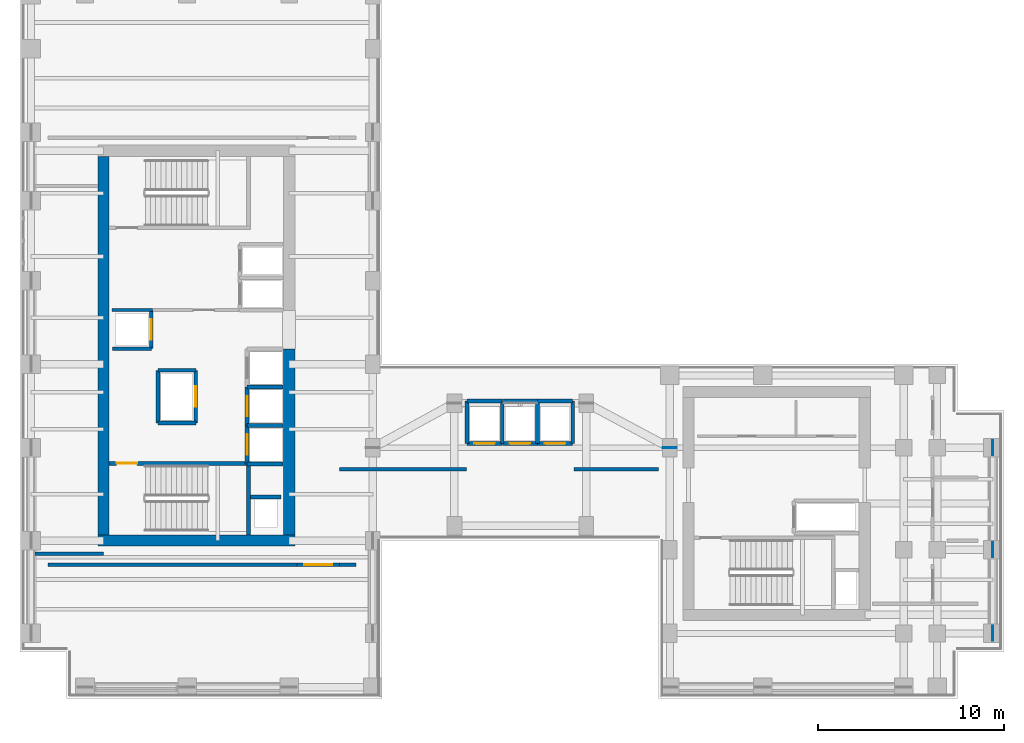
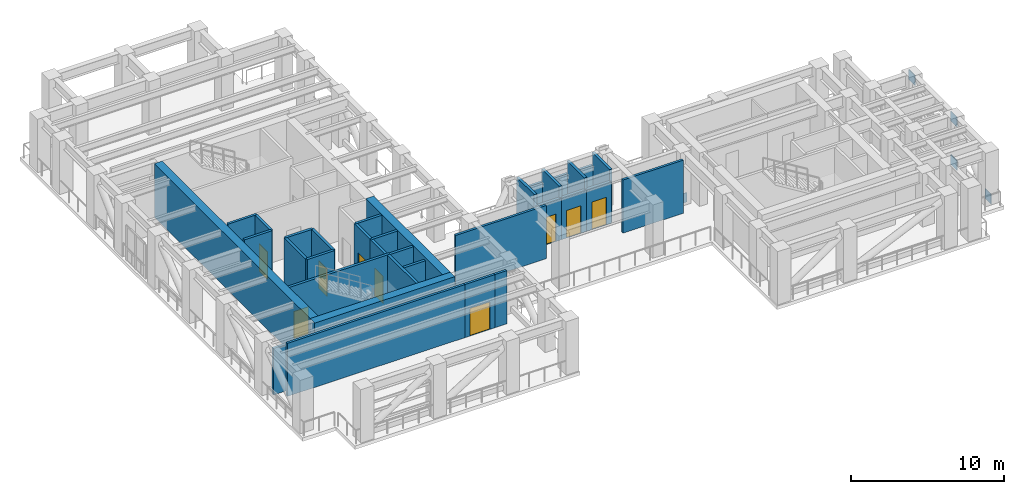
# One storey, part 8 of 14: 34 walls, 9 doors, 5 plates, 9 openings.
"""IFC4 building model written with IfcOpenShell, lengths in metres."""

from ifc_helpers import new_model, si_unit, direction, frame, frame_2d, origin, origin_2d, place, context, subcontext, project, spatial, rectangle, extrude, source, transform, mapped, material, layer, layer_set, type_object, element, fill, save


model = new_model("IFC4")

# Units and contexts
model_context = context("Model", 3, precision=1e-05, world=origin(), true_north=direction((0.0, 1.0)))
body_context = subcontext(model_context, "Body", "Model", "MODEL_VIEW")
ifc_project = project(units=[si_unit("LENGTHUNIT", "METRE"), si_unit("AREAUNIT", "SQUARE_METRE"), si_unit("VOLUMEUNIT", "CUBIC_METRE"), si_unit("PLANEANGLEUNIT", "RADIAN"), si_unit("MASSUNIT", "GRAM", prefix="KILO")], contexts=[model_context])

# Site, building, storey
site_placement = place(None, origin())
site = spatial("IfcSite", under=ifc_project, at=site_placement, CompositionType="ELEMENT")
building_placement = place(site_placement, origin())
building = spatial("IfcBuilding", under=site, at=building_placement, Name="Kharzan Plaza Tower", CompositionType="ELEMENT")
storey_placement = place(building_placement, frame((0.0, 0.0, 207.89990234375)))
storey = spatial("IfcBuildingStorey", under=building, at=storey_placement, Name="L56", CompositionType="ELEMENT", Elevation=207.89990234375)

# Plates
ifc_material_1 = material(Name="Steel S460", Category="steel")
ifc_layer_1 = layer(ifc_material_1, 0.0400390625)
ifc_layer_set_1 = layer_set([ifc_layer_1], Name="Steel S460")
plate_type_1 = type_object("IfcPlateType", Name="PLT-BTN1", PredefinedType="USERDEFINED", material=ifc_layer_set_1)
shared_shape_1 = source(origin(), body_context, "Body", "SweptSolid", [
    extrude(rectangle(XDim=0.800048828125, YDim=0.0400390625, at=origin_2d()), origin(), (0.0, 0.0, 1.0), 0.800048828125),
])
for number, where, z_axis, x_axis, name in (
    (1, (52.39990234375, 3.5, -0.0498046875), (0.0, 0.0, 1.0), (0.0, 1.0, 0.0), "L56 Belt Truss Node Gusset Plate BTN1-BTE-1"),
    (2, (52.39990234375, 8.0, 3.41015625), (0.0, 0.0, 1.0), (0.0, 1.0, 0.0), "L56 Belt Truss Node Gusset Plate BTN1-T-BTE-1"),
    (3, (52.39990234375, 8.0, -0.0498046875), (0.0, 0.0, 1.0), (0.0, 1.0, 0.0), "L56 Belt Truss Node Gusset Plate BTN1-BTE-2"),
    (4, (52.39990234375, 13.5, 3.41015625), (0.0, 0.0, 1.0), (0.0, 1.0, 0.0), "L56 Belt Truss Node Gusset Plate BTN1-T-BTE-2"),
):
    element("IfcPlate", number, at=place(storey_placement, frame(where, z_axis=z_axis, x_axis=x_axis)), inside=storey, type_object=plate_type_1, Name=name, ObjectType="GUSSET_PLATE", PredefinedType="USERDEFINED", context=body_context, shape_type="MappedRepresentation", body=[
        mapped(shared_shape_1, transform((0.0, 0.0, 0.0), x_axis=(1.0, 0.0, 0.0), y_axis=(0.0, 1.0, 0.0), z_axis=(0.0, 0.0, 1.0))),
    ])
ifc_layer_2 = layer(ifc_material_1, 0.0380859375)
ifc_layer_set_2 = layer_set([ifc_layer_2], Name="Steel S460")
plate_type_2 = type_object("IfcPlateType", Name="PLT-WPN1", PredefinedType="USERDEFINED", material=ifc_layer_set_2)
shared_shape_2 = source(origin(), body_context, "Body", "SweptSolid", [
    extrude(rectangle(XDim=0.75, YDim=0.0380859375, at=origin_2d()), origin(), (0.0, 0.0, 1.0), 0.75),
])
plate_placement = place(storey_placement, frame((35.0, 13.5, -0.1748046875), z_axis=(0.0, 0.0, 1.0), x_axis=(1.0, 0.0, 0.0)))
element("IfcPlate", 5, at=plate_placement, inside=storey, type_object=plate_type_2, Name="L56 Wind Portal Node Gusset Plate WPN1-EB", ObjectType="GUSSET_PLATE", PredefinedType="USERDEFINED", context=body_context, shape_type="MappedRepresentation", body=[
    mapped(shared_shape_2, transform((0.0, 0.0, 0.0), x_axis=(1.0, 0.0, 0.0), y_axis=(0.0, 1.0, 0.0), z_axis=(0.0, 0.0, 1.0))),
])

# Wall, opening, door
ifc_material_2 = material(Name="Concrete C40/50", Category="concrete")
ifc_layer_3 = layer(ifc_material_2, 0.179931640625)
ifc_layer_set_3 = layer_set([ifc_layer_3], Name="Concrete C40/50")
wall_type_1 = type_object("IfcWallType", Name="WL-INT-FIRE-180", PredefinedType="PARTITIONING", material=ifc_layer_set_3)
wall_1_placement = place(storey_placement, frame((14.919921875, 7.199951171875, 0.0), z_axis=(0.0, 0.0, 1.0), x_axis=(1.0, 0.0, 0.0)))
wall_1 = element("IfcWall", 6, at=wall_1_placement, inside=storey, type_object=wall_type_1, Name="L56 Interior Partition MR-AHUD", PredefinedType="PARTITIONING", context=body_context, shape_type="SweptSolid", body=[
    extrude(rectangle(XDim=2.280029296875, YDim=0.179931640625, at=frame_2d((1.14013671875, 0.0))), origin(), (0.0, 0.0, 1.0), 4.2451171875),
])
opening_1_placement = place(wall_1_placement, frame((0.389892578125, 0.0, 0.0)))
opening_1 = element("IfcOpeningElement", 7, at=opening_1_placement, cuts=wall_1, Name="Opening PD1", PredefinedType="OPENING", context=body_context, shape_type="SweptSolid", body=[
    extrude(rectangle(XDim=1.5, YDim=2.199951171875, at=frame_2d((0.75, 1.10009765625))), frame((0.0, 0.099853515625, 0.0), z_axis=(0.0, -1.0, 0.0), x_axis=(1.0, 0.0, 0.0)), (0.0, 0.0, 1.0), 0.199951171875),
])
ifc_material_3 = material(Name="Galvanized Louvred Acoustic Steel", Category="steel")
door_type_1 = type_object("IfcDoorType", Name="DR-PLANT-DBL", OperationType="DOUBLE_DOOR_SINGLE_SWING", PredefinedType="DOOR", material=ifc_material_3)
shared_shape_3 = source(origin(), body_context, "Body", "SweptSolid", [
    extrude(rectangle(XDim=1.5, YDim=2.199951171875, at=frame_2d((0.75, 1.10009765625))), frame((0.0, 0.02490234375, 0.0), z_axis=(0.0, -1.0, 0.0), x_axis=(1.0, 0.0, 0.0)), (0.0, 0.0, 1.0), 0.050048828125),
])
door_1_placement = place(opening_1_placement, origin())
door_1 = element("IfcDoor", 8, at=door_1_placement, inside=storey, type_object=door_type_1, Name="L56 AHU Plant Double Door", OperationType="DOUBLE_DOOR_SINGLE_SWING", OverallHeight=2.199951171875, OverallWidth=1.5, PredefinedType="DOOR", context=body_context, shape_type="MappedRepresentation", body=[
    mapped(shared_shape_3, transform((0.0, 0.0, 0.0), x_axis=(1.0, 0.0, 0.0), y_axis=(0.0, 1.0, 0.0), z_axis=(0.0, 0.0, 1.0))),
])
fill(opening_1, door_1)

ifc_layer_4 = layer(ifc_material_2, 0.199951171875)
ifc_layer_set_4 = layer_set([ifc_layer_4], Name="Concrete C40/50")
wall_type_2 = type_object("IfcWallType", Name="WL-INT-SHAFT-200", PredefinedType="PARTITIONING", material=ifc_layer_set_4)
wall_2_placement = place(storey_placement, frame((12.22998046875, 12.6298828125, 0.0), z_axis=(0.0, 0.0, 1.0), x_axis=(0.0, 1.0, 0.0)))
wall_2 = element("IfcWall", 9, at=wall_2_placement, inside=storey, type_object=wall_type_2, Name="L56 Interior Partition SHF-PL-H1-W", PredefinedType="PARTITIONING", context=body_context, shape_type="SweptSolid", body=[
    extrude(rectangle(XDim=2.070068359375, YDim=0.199951171875, at=frame_2d((1.03515625, 0.0))), origin(), (0.0, 0.0, 1.0), 4.2451171875),
])
opening_2_placement = place(wall_2_placement, frame((0.485107421875, 0.0, 0.0)))
opening_2 = element("IfcOpeningElement", 10, at=opening_2_placement, cuts=wall_2, Name="Opening LD", PredefinedType="OPENING", context=body_context, shape_type="SweptSolid", body=[
    extrude(rectangle(XDim=1.10009765625, YDim=2.199951171875, at=frame_2d((0.550048828125, 1.10009765625))), frame((0.0, 0.10986328125, 0.0), z_axis=(0.0, -1.0, 0.0), x_axis=(1.0, 0.0, 0.0)), (0.0, 0.0, 1.0), 0.219970703125),
])
ifc_material_4 = material(Name="Brushed Stainless Steel", Category="steel")
door_type_2 = type_object("IfcDoorType", Name="DR-LIFT-SLIDE", OperationType="SLIDING_TO_LEFT", PredefinedType="DOOR", material=ifc_material_4)
shared_shape_4 = source(origin(), body_context, "Body", "SweptSolid", [
    extrude(rectangle(XDim=1.10009765625, YDim=2.199951171875, at=frame_2d((0.550048828125, 1.10009765625))), frame((0.0, 0.02490234375, 0.0), z_axis=(0.0, -1.0, 0.0), x_axis=(1.0, 0.0, 0.0)), (0.0, 0.0, 1.0), 0.050048828125),
])
door_2_placement = place(opening_2_placement, origin())
door_2 = element("IfcDoor", 11, at=door_2_placement, inside=storey, type_object=door_type_2, Name="L56 High-Rise Passenger Lift PL-H1 Sliding Landing Door", OperationType="SLIDING_TO_LEFT", OverallHeight=2.199951171875, OverallWidth=1.10009765625, PredefinedType="DOOR", context=body_context, shape_type="MappedRepresentation", body=[
    mapped(shared_shape_4, transform((0.0, 0.0, 0.0), x_axis=(1.0, 0.0, 0.0), y_axis=(0.0, 1.0, 0.0), z_axis=(0.0, 0.0, 1.0))),
])
fill(opening_2, door_2)

wall_3_placement = place(storey_placement, frame((12.22998046875, 14.699951171875, 0.0), z_axis=(0.0, 0.0, 1.0), x_axis=(0.0, 1.0, 0.0)))
wall_3 = element("IfcWall", 12, at=wall_3_placement, inside=storey, type_object=wall_type_2, Name="L56 Interior Partition SHF-PL-H2-W", PredefinedType="PARTITIONING", context=body_context, shape_type="SweptSolid", body=[
    extrude(rectangle(XDim=2.070068359375, YDim=0.199951171875, at=frame_2d((1.03515625, 0.0))), origin(), (0.0, 0.0, 1.0), 4.2451171875),
])
opening_3_placement = place(wall_3_placement, frame((0.485107421875, 0.0, 0.0)))
opening_3 = element("IfcOpeningElement", 13, at=opening_3_placement, cuts=wall_3, Name="Opening LD", PredefinedType="OPENING", context=body_context, shape_type="SweptSolid", body=[
    extrude(rectangle(XDim=1.10009765625, YDim=2.199951171875, at=frame_2d((0.550048828125, 1.10009765625))), frame((0.0, 0.10986328125, 0.0), z_axis=(0.0, -1.0, 0.0), x_axis=(1.0, 0.0, 0.0)), (0.0, 0.0, 1.0), 0.219970703125),
])
door_3_placement = place(opening_3_placement, origin())
door_3 = element("IfcDoor", 14, at=door_3_placement, inside=storey, type_object=door_type_2, Name="L56 High-Rise Passenger Lift PL-H2 Sliding Landing Door", OperationType="SLIDING_TO_LEFT", OverallHeight=2.199951171875, OverallWidth=1.10009765625, PredefinedType="DOOR", context=body_context, shape_type="MappedRepresentation", body=[
    mapped(shared_shape_4, transform((0.0, 0.0, 0.0), x_axis=(1.0, 0.0, 0.0), y_axis=(0.0, 1.0, 0.0), z_axis=(0.0, 0.0, 1.0))),
])
fill(opening_3, door_3)

wall_4_placement = place(storey_placement, frame((7.070068359375, 18.840087890625, 0.0), z_axis=(0.0, 0.0, 1.0), x_axis=(0.0, 1.0, 0.0)))
wall_4 = element("IfcWall", 15, at=wall_4_placement, inside=storey, type_object=wall_type_2, Name="L56 Interior Partition SHF-PL-H4-E", PredefinedType="PARTITIONING", context=body_context, shape_type="SweptSolid", body=[
    extrude(rectangle(XDim=2.059814453125, YDim=0.199951171875, at=frame_2d((1.02978515625, 0.0))), origin(), (0.0, 0.0, 1.0), 4.2451171875),
])
opening_4_placement = place(wall_4_placement, frame((0.47998046875, 0.0, 0.0)))
opening_4 = element("IfcOpeningElement", 16, at=opening_4_placement, cuts=wall_4, Name="Opening LD", PredefinedType="OPENING", context=body_context, shape_type="SweptSolid", body=[
    extrude(rectangle(XDim=1.10009765625, YDim=2.199951171875, at=frame_2d((0.550048828125, 1.10009765625))), frame((0.0, 0.10986328125, 0.0), z_axis=(0.0, -1.0, 0.0), x_axis=(1.0, 0.0, 0.0)), (0.0, 0.0, 1.0), 0.219970703125),
])
door_4_placement = place(opening_4_placement, origin())
door_4 = element("IfcDoor", 17, at=door_4_placement, inside=storey, type_object=door_type_2, Name="L56 High-Rise Passenger Lift PL-H4 Sliding Landing Door", OperationType="SLIDING_TO_LEFT", OverallHeight=2.199951171875, OverallWidth=1.10009765625, PredefinedType="DOOR", context=body_context, shape_type="MappedRepresentation", body=[
    mapped(shared_shape_4, transform((0.0, 0.0, 0.0), x_axis=(1.0, 0.0, 0.0), y_axis=(0.0, 1.0, 0.0), z_axis=(0.0, 0.0, 1.0))),
])
fill(opening_4, door_4)

wall_5_placement = place(storey_placement, frame((24.080078125, 13.72998046875, 0.0), z_axis=(0.0, 0.0, 1.0), x_axis=(1.0, 0.0, 0.0)))
wall_5 = element("IfcWall", 18, at=wall_5_placement, inside=storey, type_object=wall_type_2, Name="L56 Interior Partition SHF-PL-M1-S", PredefinedType="PARTITIONING", context=body_context, shape_type="SweptSolid", body=[
    extrude(rectangle(XDim=1.889892578125, YDim=0.199951171875, at=frame_2d((0.94482421875, 0.0))), origin(), (0.0, 0.0, 1.0), 3.326171875),
])
opening_5_placement = place(wall_5_placement, frame((0.39501953125, 0.0, 0.0)))
opening_5 = element("IfcOpeningElement", 19, at=opening_5_placement, cuts=wall_5, Name="Opening LD", PredefinedType="OPENING", context=body_context, shape_type="SweptSolid", body=[
    extrude(rectangle(XDim=1.10009765625, YDim=2.199951171875, at=frame_2d((0.550048828125, 1.10009765625))), frame((0.0, 0.10986328125, 0.0), z_axis=(0.0, -1.0, 0.0), x_axis=(1.0, 0.0, 0.0)), (0.0, 0.0, 1.0), 0.219970703125),
])
door_5_placement = place(opening_5_placement, origin())
door_5 = element("IfcDoor", 20, at=door_5_placement, inside=storey, type_object=door_type_2, Name="L56 Mid-Rise Passenger Lift PL-M1 Sliding Landing Door", OperationType="SLIDING_TO_LEFT", OverallHeight=2.199951171875, OverallWidth=1.10009765625, PredefinedType="DOOR", context=body_context, shape_type="MappedRepresentation", body=[
    mapped(shared_shape_4, transform((0.0, 0.0, 0.0), x_axis=(1.0, 0.0, 0.0), y_axis=(0.0, 1.0, 0.0), z_axis=(0.0, 0.0, 1.0))),
])
fill(opening_5, door_5)

wall_6_placement = place(storey_placement, frame((25.97998046875, 13.72998046875, 0.0), z_axis=(0.0, 0.0, 1.0), x_axis=(1.0, 0.0, 0.0)))
wall_6 = element("IfcWall", 21, at=wall_6_placement, inside=storey, type_object=wall_type_2, Name="L56 Interior Partition SHF-PL-M2-S", PredefinedType="PARTITIONING", context=body_context, shape_type="SweptSolid", body=[
    extrude(rectangle(XDim=1.89013671875, YDim=0.199951171875, at=frame_2d((0.945068359375, 0.0))), origin(), (0.0, 0.0, 1.0), 3.326171875),
])
opening_6_placement = place(wall_6_placement, frame((0.39501953125, 0.0, 0.0)))
opening_6 = element("IfcOpeningElement", 22, at=opening_6_placement, cuts=wall_6, Name="Opening LD", PredefinedType="OPENING", context=body_context, shape_type="SweptSolid", body=[
    extrude(rectangle(XDim=1.10009765625, YDim=2.199951171875, at=frame_2d((0.550048828125, 1.10009765625))), frame((0.0, 0.10986328125, 0.0), z_axis=(0.0, -1.0, 0.0), x_axis=(1.0, 0.0, 0.0)), (0.0, 0.0, 1.0), 0.219970703125),
])
door_6_placement = place(opening_6_placement, origin())
door_6 = element("IfcDoor", 23, at=door_6_placement, inside=storey, type_object=door_type_2, Name="L56 Mid-Rise Passenger Lift PL-M2 Sliding Landing Door", OperationType="SLIDING_TO_LEFT", OverallHeight=2.199951171875, OverallWidth=1.10009765625, PredefinedType="DOOR", context=body_context, shape_type="MappedRepresentation", body=[
    mapped(shared_shape_4, transform((0.0, 0.0, 0.0), x_axis=(1.0, 0.0, 0.0), y_axis=(0.0, 1.0, 0.0), z_axis=(0.0, 0.0, 1.0))),
])
fill(opening_6, door_6)

wall_7_placement = place(storey_placement, frame((27.8798828125, 13.72998046875, 0.0), z_axis=(0.0, 0.0, 1.0), x_axis=(1.0, 0.0, 0.0)))
wall_7 = element("IfcWall", 24, at=wall_7_placement, inside=storey, type_object=wall_type_2, Name="L56 Interior Partition SHF-PL-M3-S", PredefinedType="PARTITIONING", context=body_context, shape_type="SweptSolid", body=[
    extrude(rectangle(XDim=1.89013671875, YDim=0.199951171875, at=frame_2d((0.945068359375, 0.0))), origin(), (0.0, 0.0, 1.0), 3.326171875),
])
opening_7_placement = place(wall_7_placement, frame((0.39501953125, 0.0, 0.0)))
opening_7 = element("IfcOpeningElement", 25, at=opening_7_placement, cuts=wall_7, Name="Opening LD", PredefinedType="OPENING", context=body_context, shape_type="SweptSolid", body=[
    extrude(rectangle(XDim=1.10009765625, YDim=2.199951171875, at=frame_2d((0.550048828125, 1.10009765625))), frame((0.0, 0.10986328125, 0.0), z_axis=(0.0, -1.0, 0.0), x_axis=(1.0, 0.0, 0.0)), (0.0, 0.0, 1.0), 0.219970703125),
])
door_7_placement = place(opening_7_placement, origin())
door_7 = element("IfcDoor", 26, at=door_7_placement, inside=storey, type_object=door_type_2, Name="L56 Mid-Rise Passenger Lift PL-M3 Sliding Landing Door", OperationType="SLIDING_TO_LEFT", OverallHeight=2.199951171875, OverallWidth=1.10009765625, PredefinedType="DOOR", context=body_context, shape_type="MappedRepresentation", body=[
    mapped(shared_shape_4, transform((0.0, 0.0, 0.0), x_axis=(1.0, 0.0, 0.0), y_axis=(0.0, 1.0, 0.0), z_axis=(0.0, 0.0, 1.0))),
])
fill(opening_7, door_7)

wall_8_placement = place(storey_placement, frame((9.469970703125, 14.830078125, 0.0), z_axis=(0.0, 0.0, 1.0), x_axis=(0.0, 1.0, 0.0)))
wall_8 = element("IfcWall", 27, at=wall_8_placement, inside=storey, type_object=wall_type_2, Name="L56 Interior Partition SHF-SVL-1-E", PredefinedType="PARTITIONING", context=body_context, shape_type="SweptSolid", body=[
    extrude(rectangle(XDim=2.83984375, YDim=0.199951171875, at=frame_2d((1.419921875, 0.0))), origin(), (0.0, 0.0, 1.0), 4.2451171875),
])
opening_8_placement = place(wall_8_placement, frame((0.8701171875, 0.0, 0.0)))
opening_8 = element("IfcOpeningElement", 28, at=opening_8_placement, cuts=wall_8, Name="Opening LD", PredefinedType="OPENING", context=body_context, shape_type="SweptSolid", body=[
    extrude(rectangle(XDim=1.10009765625, YDim=2.199951171875, at=frame_2d((0.550048828125, 1.10009765625))), frame((0.0, 0.10986328125, 0.0), z_axis=(0.0, -1.0, 0.0), x_axis=(1.0, 0.0, 0.0)), (0.0, 0.0, 1.0), 0.219970703125),
])
door_8_placement = place(opening_8_placement, origin())
door_8 = element("IfcDoor", 29, at=door_8_placement, inside=storey, type_object=door_type_2, Name="L56 Service Lift SVL-1 Sliding Landing Door", OperationType="SLIDING_TO_LEFT", OverallHeight=2.199951171875, OverallWidth=1.10009765625, PredefinedType="DOOR", context=body_context, shape_type="MappedRepresentation", body=[
    mapped(shared_shape_4, transform((0.0, 0.0, 0.0), x_axis=(1.0, 0.0, 0.0), y_axis=(0.0, 1.0, 0.0), z_axis=(0.0, 0.0, 1.0))),
])
fill(opening_8, door_8)

ifc_material_5 = material(Name="Concrete C50/60", Category="concrete")
ifc_layer_5 = layer(ifc_material_5, 0.199951171875)
ifc_layer_set_5 = layer_set([ifc_layer_5], Name="Concrete C50/60")
wall_type_3 = type_object("IfcWallType", Name="WL-SHAFT-RC200", PredefinedType="SHEAR", material=ifc_layer_set_5)
wall_9_placement = place(storey_placement, frame((4.802001953125, 12.655029296875, 0.0), z_axis=(0.0, 0.0, 1.0), x_axis=(1.0, 0.0, 0.0)))
wall_9 = element("IfcWall", 30, at=wall_9_placement, inside=storey, type_object=wall_type_3, Name="L56 Stair ST-1 North RC Shaft Wall", PredefinedType="SHEAR", context=body_context, shape_type="SweptSolid", body=[
    extrude(rectangle(XDim=7.60302734375, YDim=0.199951171875, at=frame_2d((3.801513671875, 0.0))), origin(), (0.0, 0.0, 1.0), 4.260009765625),
])
opening_9_placement = place(wall_9_placement, frame((0.39990234375, 0.0, 0.0)))
opening_9 = element("IfcOpeningElement", 31, at=opening_9_placement, cuts=wall_9, Name="Opening SD1", PredefinedType="OPENING", context=body_context, shape_type="SweptSolid", body=[
    extrude(rectangle(XDim=1.10009765625, YDim=2.14990234375, at=frame_2d((0.550048828125, 1.074951171875))), frame((0.0, 0.10986328125, 0.0), z_axis=(0.0, -1.0, 0.0), x_axis=(1.0, 0.0, 0.0)), (0.0, 0.0, 1.0), 0.219970703125),
])
ifc_material_6 = material(Name="Fire-Rated Hollow Galvanized Steel", Category="steel")
door_type_3 = type_object("IfcDoorType", Name="DR-STAIR-FD120", OperationType="NOTDEFINED", PredefinedType="DOOR", material=ifc_material_6)
shared_shape_5 = source(origin(), body_context, "Body", "SweptSolid", [
    extrude(rectangle(XDim=1.10009765625, YDim=2.14990234375, at=frame_2d((0.550048828125, 1.074951171875))), frame((0.0, 0.02490234375, 0.0), z_axis=(0.0, -1.0, 0.0), x_axis=(1.0, 0.0, 0.0)), (0.0, 0.0, 1.0), 0.050048828125),
])
door_9_placement = place(opening_9_placement, origin())
door_9 = element("IfcDoor", 32, at=door_9_placement, inside=storey, type_object=door_type_3, Name="L56 Stair ST-1 Fire Exit Door", OperationType="SINGLE_SWING_RIGHT", OverallHeight=2.14990234375, OverallWidth=1.10009765625, PredefinedType="DOOR", context=body_context, shape_type="MappedRepresentation", body=[
    mapped(shared_shape_5, transform((0.0, 0.0, 0.0), x_axis=(1.0, 0.0, 0.0), y_axis=(0.0, 1.0, 0.0), z_axis=(0.0, 0.0, 1.0))),
])
fill(opening_9, door_9)

# Walls
shared_shape_6 = source(origin(), body_context, "Body", "SweptSolid", [
    extrude(rectangle(XDim=13.419921875, YDim=0.179931640625, at=frame_2d((6.7099609375, 0.0))), origin(), (0.0, 0.0, 1.0), 4.2451171875),
])
wall_10_placement = place(storey_placement, frame((1.5, 7.199951171875, 0.0), z_axis=(0.0, 0.0, 1.0), x_axis=(1.0, 0.0, 0.0)))
element("IfcWall", 33, at=wall_10_placement, inside=storey, type_object=wall_type_1, Name="L56 Interior Partition MR-AHUW", PredefinedType="PARTITIONING", context=body_context, shape_type="MappedRepresentation", body=[
    mapped(shared_shape_6, transform((0.0, 0.0, 0.0), x_axis=(1.0, 0.0, 0.0), y_axis=(0.0, 1.0, 0.0), z_axis=(0.0, 0.0, 1.0))),
])
shared_shape_7 = source(origin(), body_context, "Body", "SweptSolid", [
    extrude(rectangle(XDim=0.900146484375, YDim=0.179931640625, at=frame_2d((0.4501953125, 0.0))), origin(), (0.0, 0.0, 1.0), 4.2451171875),
])
wall_11_placement = place(storey_placement, frame((17.199951171875, 7.199951171875, 0.0), z_axis=(0.0, 0.0, 1.0), x_axis=(1.0, 0.0, 0.0)))
element("IfcWall", 34, at=wall_11_placement, inside=storey, type_object=wall_type_1, Name="L56 Interior Partition MR-AHUWE", PredefinedType="PARTITIONING", context=body_context, shape_type="MappedRepresentation", body=[
    mapped(shared_shape_7, transform((0.0, 0.0, 0.0), x_axis=(1.0, 0.0, 0.0), y_axis=(0.0, 1.0, 0.0), z_axis=(0.0, 0.0, 1.0))),
])
shared_shape_8 = source(origin(), body_context, "Body", "SweptSolid", [
    extrude(rectangle(XDim=3.699951171875, YDim=0.179931640625, at=frame_2d((1.85009765625, 0.0))), origin(), (0.0, 0.0, 1.0), 3.7080078125),
])
wall_12_placement = place(storey_placement, frame((0.800048828125, 7.800048828125, 0.0), z_axis=(0.0, 0.0, 1.0), x_axis=(1.0, 0.0, 0.0)))
element("IfcWall", 35, at=wall_12_placement, inside=storey, type_object=wall_type_1, Name="L56 Interior Partition MR-OTWS", PredefinedType="PARTITIONING", context=body_context, shape_type="MappedRepresentation", body=[
    mapped(shared_shape_8, transform((0.0, 0.0, 0.0), x_axis=(1.0, 0.0, 0.0), y_axis=(0.0, 1.0, 0.0), z_axis=(0.0, 0.0, 1.0))),
])
shared_shape_9 = source(origin(), body_context, "Body", "SweptSolid", [
    extrude(rectangle(XDim=6.85009765625, YDim=0.179931640625, at=frame_2d((3.425048828125, 0.0))), origin(), (0.0, 0.0, 1.0), 4.2451171875),
])
wall_13_placement = place(storey_placement, frame((17.199951171875, 12.35009765625, 0.0), z_axis=(0.0, 0.0, 1.0), x_axis=(1.0, 0.0, 0.0)))
element("IfcWall", 36, at=wall_13_placement, inside=storey, type_object=wall_type_1, Name="L56 Interior Partition MR-SPN-CL1", PredefinedType="PARTITIONING", context=body_context, shape_type="MappedRepresentation", body=[
    mapped(shared_shape_9, transform((0.0, 0.0, 0.0), x_axis=(1.0, 0.0, 0.0), y_axis=(0.0, 1.0, 0.0), z_axis=(0.0, 0.0, 1.0))),
])
shared_shape_10 = source(origin(), body_context, "Body", "SweptSolid", [
    extrude(rectangle(XDim=4.5498046875, YDim=0.179931640625, at=frame_2d((2.27490234375, 0.0))), origin(), (0.0, 0.0, 1.0), 4.2451171875),
])
wall_14_placement = place(storey_placement, frame((29.85009765625, 12.35009765625, 0.0), z_axis=(0.0, 0.0, 1.0), x_axis=(1.0, 0.0, 0.0)))
element("IfcWall", 37, at=wall_14_placement, inside=storey, type_object=wall_type_1, Name="L56 Interior Partition MR-SPN-CL2", PredefinedType="PARTITIONING", context=body_context, shape_type="MappedRepresentation", body=[
    mapped(shared_shape_10, transform((0.0, 0.0, 0.0), x_axis=(1.0, 0.0, 0.0), y_axis=(0.0, 1.0, 0.0), z_axis=(0.0, 0.0, 1.0))),
])
shared_shape_11 = source(origin(), body_context, "Body", "SweptSolid", [
    extrude(rectangle(XDim=2.090087890625, YDim=0.199951171875, at=frame_2d((1.044921875, 0.0))), origin(), (0.0, 0.0, 1.0), 4.2451171875),
])
wall_15_placement = place(storey_placement, frame((4.97998046875, 18.840087890625, 0.0), z_axis=(0.0, 0.0, 1.0), x_axis=(1.0, 0.0, 0.0)))
element("IfcWall", 38, at=wall_15_placement, inside=storey, type_object=wall_type_2, Name="L56 Interior Partition SHF-PL-H4-S", PredefinedType="PARTITIONING", context=body_context, shape_type="MappedRepresentation", body=[
    mapped(shared_shape_11, transform((0.0, 0.0, 0.0), x_axis=(1.0, 0.0, 0.0), y_axis=(0.0, 1.0, 0.0), z_axis=(0.0, 0.0, 1.0))),
])
shared_shape_12 = source(origin(), body_context, "Body", "SweptSolid", [
    extrude(rectangle(XDim=2.2900390625, YDim=0.199951171875, at=frame_2d((1.14501953125, 0.0))), origin(), (0.0, 0.0, 1.0), 4.2451171875),
])
for number, where, z_axis, x_axis, name in (
    (39, (25.969970703125, 13.72998046875, 0.0), (0.0, 0.0, 1.0), (0.0, 1.0, 0.0), "L56 Interior Partition SHF-PL-M1-E"),
    (40, (24.080078125, 13.72998046875, 0.0), (0.0, 0.0, 1.0), (0.0, 1.0, 0.0), "L56 Interior Partition SHF-PL-M1-W"),
    (41, (27.8701171875, 13.72998046875, 0.0), (0.0, 0.0, 1.0), (0.0, 1.0, 0.0), "L56 Interior Partition SHF-PL-M2-E"),
    (42, (29.77001953125, 13.72998046875, 0.0), (0.0, 0.0, 1.0), (0.0, 1.0, 0.0), "L56 Interior Partition SHF-PL-M3-E"),
):
    element("IfcWall", number, at=place(storey_placement, frame(where, z_axis=z_axis, x_axis=x_axis)), inside=storey, type_object=wall_type_2, Name=name, PredefinedType="PARTITIONING", context=body_context, shape_type="MappedRepresentation", body=[
        mapped(shared_shape_12, transform((0.0, 0.0, 0.0), x_axis=(1.0, 0.0, 0.0), y_axis=(0.0, 1.0, 0.0), z_axis=(0.0, 0.0, 1.0))),
    ])
shared_shape_13 = source(origin(), body_context, "Body", "SweptSolid", [
    extrude(rectangle(XDim=1.889892578125, YDim=0.199951171875, at=frame_2d((0.94482421875, 0.0))), origin(), (0.0, 0.0, 1.0), 3.2451171875),
])
wall_16_placement = place(storey_placement, frame((24.080078125, 16.02001953125, 0.0), z_axis=(0.0, 0.0, 1.0), x_axis=(1.0, 0.0, 0.0)))
element("IfcWall", 43, at=wall_16_placement, inside=storey, type_object=wall_type_2, Name="L56 Interior Partition SHF-PL-M1-N", PredefinedType="PARTITIONING", context=body_context, shape_type="MappedRepresentation", body=[
    mapped(shared_shape_13, transform((0.0, 0.0, 0.0), x_axis=(1.0, 0.0, 0.0), y_axis=(0.0, 1.0, 0.0), z_axis=(0.0, 0.0, 1.0))),
])
shared_shape_14 = source(origin(), body_context, "Body", "SweptSolid", [
    extrude(rectangle(XDim=1.89013671875, YDim=0.199951171875, at=frame_2d((0.945068359375, 0.0))), origin(), (0.0, 0.0, 1.0), 3.2451171875),
])
for number, where, z_axis, x_axis, name in (
    (44, (25.97998046875, 16.02001953125, 0.0), (0.0, 0.0, 1.0), (1.0, 0.0, 0.0), "L56 Interior Partition SHF-PL-M2-N"),
    (45, (27.8798828125, 16.02001953125, 0.0), (0.0, 0.0, 1.0), (1.0, 0.0, 0.0), "L56 Interior Partition SHF-PL-M3-N"),
):
    element("IfcWall", number, at=place(storey_placement, frame(where, z_axis=z_axis, x_axis=x_axis)), inside=storey, type_object=wall_type_2, Name=name, PredefinedType="PARTITIONING", context=body_context, shape_type="MappedRepresentation", body=[
        mapped(shared_shape_14, transform((0.0, 0.0, 0.0), x_axis=(1.0, 0.0, 0.0), y_axis=(0.0, 1.0, 0.0), z_axis=(0.0, 0.0, 1.0))),
    ])
shared_shape_15 = source(origin(), body_context, "Body", "SweptSolid", [
    extrude(rectangle(XDim=2.0400390625, YDim=0.199951171875, at=frame_2d((1.02001953125, 0.0))), origin(), (0.0, 0.0, 1.0), 4.2451171875),
])
for number, where, z_axis, x_axis, name in (
    (46, (7.429931640625, 17.669921875, 0.0), (0.0, 0.0, 1.0), (1.0, 0.0, 0.0), "L56 Interior Partition SHF-SVL-1-N"),
    (47, (7.429931640625, 14.830078125, 0.0), (0.0, 0.0, 1.0), (1.0, 0.0, 0.0), "L56 Interior Partition SHF-SVL-1-S"),
):
    element("IfcWall", number, at=place(storey_placement, frame(where, z_axis=z_axis, x_axis=x_axis)), inside=storey, type_object=wall_type_2, Name=name, PredefinedType="PARTITIONING", context=body_context, shape_type="MappedRepresentation", body=[
        mapped(shared_shape_15, transform((0.0, 0.0, 0.0), x_axis=(1.0, 0.0, 0.0), y_axis=(0.0, 1.0, 0.0), z_axis=(0.0, 0.0, 1.0))),
    ])
shared_shape_16 = source(origin(), body_context, "Body", "SweptSolid", [
    extrude(rectangle(XDim=2.83984375, YDim=0.199951171875, at=frame_2d((1.419921875, 0.0))), origin(), (0.0, 0.0, 1.0), 4.2451171875),
])
wall_17_placement = place(storey_placement, frame((7.429931640625, 14.830078125, 0.0), z_axis=(0.0, 0.0, 1.0), x_axis=(0.0, 1.0, 0.0)))
element("IfcWall", 48, at=wall_17_placement, inside=storey, type_object=wall_type_2, Name="L56 Interior Partition SHF-SVL-1-W", PredefinedType="PARTITIONING", context=body_context, shape_type="MappedRepresentation", body=[
    mapped(shared_shape_16, transform((0.0, 0.0, 0.0), x_axis=(1.0, 0.0, 0.0), y_axis=(0.0, 1.0, 0.0), z_axis=(0.0, 0.0, 1.0))),
])
ifc_layer_6 = layer(ifc_material_5, 0.60009765625)
ifc_layer_set_6 = layer_set([ifc_layer_6], Name="Concrete C50/60")
wall_type_4 = type_object("IfcWallType", Name="WL-CORE-600", PredefinedType="SHEAR", material=ifc_layer_set_6)
shared_shape_17 = source(origin(), body_context, "Body", "SweptSolid", [
    extrude(rectangle(XDim=10.02001953125, YDim=0.60009765625, at=frame_2d((5.010009765625, 0.0))), origin(), (0.0, 0.0, 1.0), 4.260009765625),
])
wall_18_placement = place(storey_placement, frame((14.5, 8.800048828125, 0.0), z_axis=(0.0, 0.0, 1.0), x_axis=(0.0, 1.0, 0.0)))
element("IfcWall", 49, at=wall_18_placement, inside=storey, type_object=wall_type_4, Name="L56 CORE-A east shear pier 1", PredefinedType="SHEAR", context=body_context, shape_type="MappedRepresentation", body=[
    mapped(shared_shape_17, transform((0.0, 0.0, 0.0), x_axis=(1.0, 0.0, 0.0), y_axis=(0.0, 1.0, 0.0), z_axis=(0.0, 0.0, 1.0))),
])
shared_shape_18 = source(origin(), body_context, "Body", "SweptSolid", [
    extrude(rectangle(XDim=10.60009765625, YDim=0.60009765625, at=frame_2d((5.300048828125, 0.0))), origin(), (0.0, 0.0, 1.0), 4.260009765625),
])
wall_19_placement = place(storey_placement, frame((4.199951171875, 8.5, 0.0), z_axis=(0.0, 0.0, 1.0), x_axis=(1.0, 0.0, 0.0)))
element("IfcWall", 50, at=wall_19_placement, inside=storey, type_object=wall_type_4, Name="L56 CORE-A south RC shear wall", PredefinedType="SHEAR", context=body_context, shape_type="MappedRepresentation", body=[
    mapped(shared_shape_18, transform((0.0, 0.0, 0.0), x_axis=(1.0, 0.0, 0.0), y_axis=(0.0, 1.0, 0.0), z_axis=(0.0, 0.0, 1.0))),
])
shared_shape_19 = source(origin(), body_context, "Body", "SweptSolid", [
    extrude(rectangle(XDim=20.39990234375, YDim=0.60009765625, at=frame_2d((10.199951171875, 0.0))), origin(), (0.0, 0.0, 1.0), 4.260009765625),
])
wall_20_placement = place(storey_placement, frame((4.5, 8.800048828125, 0.0), z_axis=(0.0, 0.0, 1.0), x_axis=(0.0, 1.0, 0.0)))
element("IfcWall", 51, at=wall_20_placement, inside=storey, type_object=wall_type_4, Name="L56 CORE-A west RC shear wall", PredefinedType="SHEAR", context=body_context, shape_type="MappedRepresentation", body=[
    mapped(shared_shape_19, transform((0.0, 0.0, 0.0), x_axis=(1.0, 0.0, 0.0), y_axis=(0.0, 1.0, 0.0), z_axis=(0.0, 0.0, 1.0))),
])
shared_shape_20 = source(origin(), body_context, "Body", "SweptSolid", [
    extrude(rectangle(XDim=2.199951171875, YDim=0.179931640625, at=frame_2d((1.10009765625, 0.0))), origin(), (0.0, 0.0, 1.0), 4.2451171875),
])
wall_21_placement = place(storey_placement, frame((4.949951171875, 20.919921875, 0.0), z_axis=(0.0, 0.0, 1.0), x_axis=(1.0, 0.0, 0.0)))
element("IfcWall", 52, at=wall_21_placement, inside=storey, type_object=wall_type_1, Name="L56 Interior Partition CA-FF-SW", PredefinedType="PARTITIONING", context=body_context, shape_type="MappedRepresentation", body=[
    mapped(shared_shape_20, transform((0.0, 0.0, 0.0), x_axis=(1.0, 0.0, 0.0), y_axis=(0.0, 1.0, 0.0), z_axis=(0.0, 0.0, 1.0))),
])
shared_shape_21 = source(origin(), body_context, "Body", "SweptSolid", [
    extrude(rectangle(XDim=1.630126953125, YDim=0.199951171875, at=frame_2d((0.81494140625, 0.0))), origin(), (0.0, 0.0, 1.0), 4.2451171875),
])
wall_22_placement = place(storey_placement, frame((12.419921875, 10.85009765625, 0.0), z_axis=(0.0, 0.0, 1.0), x_axis=(1.0, 0.0, 0.0)))
element("IfcWall", 53, at=wall_22_placement, inside=storey, type_object=wall_type_2, Name="L56 Interior Partition CA-RSRA-N", PredefinedType="PARTITIONING", context=body_context, shape_type="MappedRepresentation", body=[
    mapped(shared_shape_21, transform((0.0, 0.0, 0.0), x_axis=(1.0, 0.0, 0.0), y_axis=(0.0, 1.0, 0.0), z_axis=(0.0, 0.0, 1.0))),
])
shared_shape_22 = source(origin(), body_context, "Body", "SweptSolid", [
    extrude(rectangle(XDim=1.93994140625, YDim=0.199951171875, at=frame_2d((0.969970703125, 0.0))), origin(), (0.0, 0.0, 1.0), 4.2451171875),
])
for number, where, z_axis, x_axis, name in (
    (54, (12.22998046875, 14.699951171875, 0.0), (0.0, 0.0, 1.0), (1.0, 0.0, 0.0), "L56 Interior Partition SHF-PL-H1-N"),
    (55, (12.22998046875, 12.6298828125, 0.0), (0.0, 0.0, 1.0), (1.0, 0.0, 0.0), "L56 Interior Partition SHF-PL-H1-S"),
    (56, (12.22998046875, 16.77001953125, 0.0), (0.0, 0.0, 1.0), (1.0, 0.0, 0.0), "L56 Interior Partition SHF-PL-H2-N"),
):
    element("IfcWall", number, at=place(storey_placement, frame(where, z_axis=z_axis, x_axis=x_axis)), inside=storey, type_object=wall_type_2, Name=name, PredefinedType="PARTITIONING", context=body_context, shape_type="MappedRepresentation", body=[
        mapped(shared_shape_22, transform((0.0, 0.0, 0.0), x_axis=(1.0, 0.0, 0.0), y_axis=(0.0, 1.0, 0.0), z_axis=(0.0, 0.0, 1.0))),
    ])
shared_shape_23 = source(origin(), body_context, "Body", "SweptSolid", [
    extrude(rectangle(XDim=3.7529296875, YDim=0.199951171875, at=frame_2d((1.87646484375, 0.0))), origin(), (0.0, 0.0, 1.0), 4.260009765625),
])
wall_23_placement = place(storey_placement, frame((12.304931640625, 8.802001953125, 0.0), z_axis=(0.0, 0.0, 1.0), x_axis=(0.0, 1.0, 0.0)))
element("IfcWall", 57, at=wall_23_placement, inside=storey, type_object=wall_type_3, Name="L56 Stair ST-1 East RC Shaft Wall", PredefinedType="SHEAR", context=body_context, shape_type="MappedRepresentation", body=[
    mapped(shared_shape_23, transform((0.0, 0.0, 0.0), x_axis=(1.0, 0.0, 0.0), y_axis=(0.0, 1.0, 0.0), z_axis=(0.0, 0.0, 1.0))),
])

save(model, "model.ifc")
